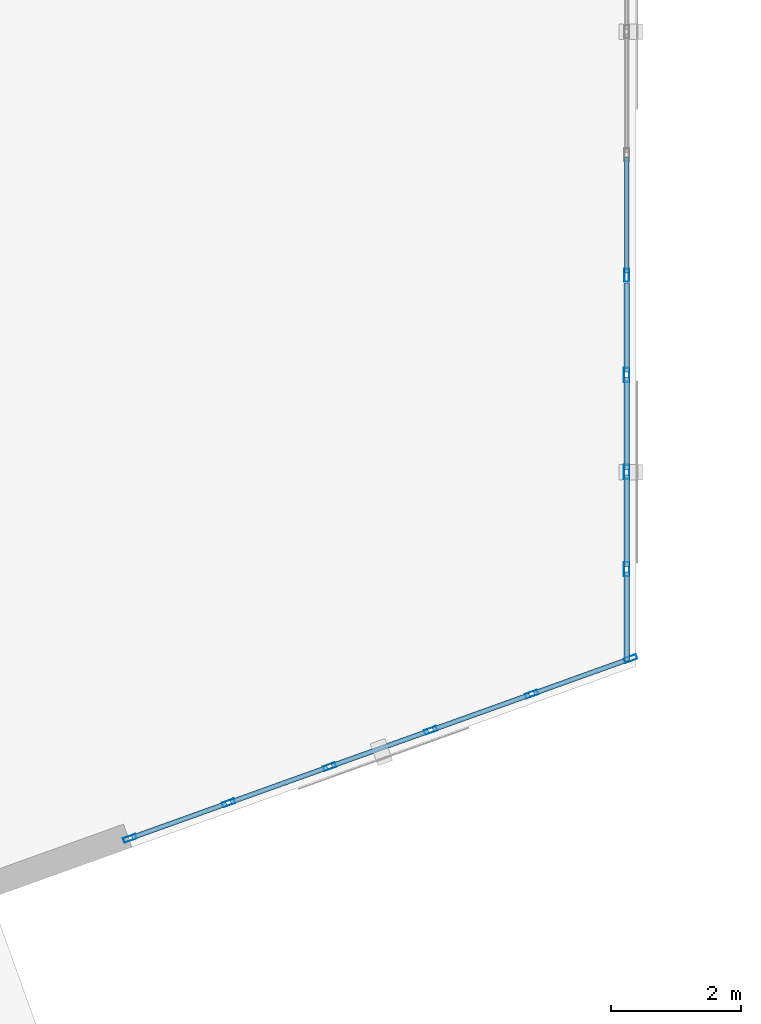
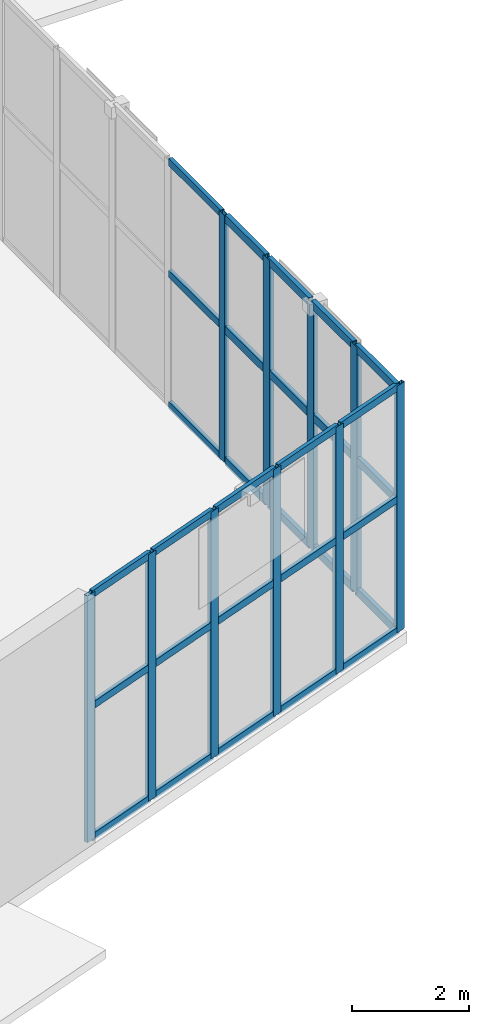
# One storey, part 33 of 139: 40 members, 3 elements without a shape of their own.
"""IFC4 building model written with IfcOpenShell, lengths in metres."""

from ifc_helpers import new_model, si_unit, direction, frame, origin, origin_2d, place, context, subcontext, project, spatial, hollow_rectangle, extrude, material, layer, layer_set, material_profile, profile_set, type_object, element, aggregate, save


model = new_model("IFC4")

# Units and contexts
model_context = context("Model", 3, precision=1e-05, world=origin(), true_north=direction((0.0, 1.0)))
body_context = subcontext(model_context, "Body", "Model", "MODEL_VIEW")
ifc_project = project(units=[si_unit("LENGTHUNIT", "METRE"), si_unit("AREAUNIT", "SQUARE_METRE"), si_unit("VOLUMEUNIT", "CUBIC_METRE"), si_unit("PLANEANGLEUNIT", "RADIAN"), si_unit("MASSUNIT", "GRAM", prefix="KILO")], contexts=[model_context])

# Site, building, storey
site_placement = place(None, origin())
site = spatial("IfcSite", under=ifc_project, at=site_placement, CompositionType="ELEMENT")
building_placement = place(site_placement, origin())
building = spatial("IfcBuilding", under=site, at=building_placement, Name="Xicomal Pleat Aquarium", CompositionType="ELEMENT")
storey_placement = place(building_placement, origin())
storey = spatial("IfcBuildingStorey", under=building, at=storey_placement, Name="L01", CompositionType="ELEMENT", Elevation=0.0)

# Curtain wall, members
ifc_material_1 = material(Name="Bronze anodized aluminium 6063-T6", Category="aluminium")
ifc_layer_1 = layer(ifc_material_1, 0.159912109375)
ifc_layer_set_1 = layer_set([ifc_layer_1], Name="Bronze anodized aluminium 6063-T6")
curtain_wall_type_1 = type_object("IfcCurtainWallType", Name="CW-SYS-06", PredefinedType="NOTDEFINED", material=ifc_layer_set_1)
curtain_wall_1_placement = place(storey_placement, origin())
curtain_wall_1 = element("IfcCurtainWall", 1, at=curtain_wall_1_placement, inside=storey, type_object=curtain_wall_type_1, Name="L01 unitised curtain wall CW-L01-001", PredefinedType="NOTDEFINED")
ifc_material_2 = material(Name="Bronze anodized aluminium 6063-T6", Category="aluminium")
ifc_material_profile_1 = material_profile(ifc_material_2, hollow_rectangle(XDim=0.074951171875, YDim=0.199951171875, WallThickness=0.00439453125, at=origin_2d()), Name="ALU MULL 75x200")
ifc_profile_set_1 = profile_set([ifc_material_profile_1], Name="Bronze anodized aluminium 6063-T6")
member_type_1 = type_object("IfcMemberType", Name="CWM-75x200", PredefinedType="MULLION", material=ifc_profile_set_1)
member_1_placement = place(storey_placement, frame((94.11767578125, 9.3193359375, 0.0), z_axis=(0.0, 0.0, 1.0), x_axis=(0.3378647536, -0.941194670764, 0.0)))
member_1 = element("IfcMember", 2, at=member_1_placement, type_object=member_type_1, Name="CW-06 mullion 1", PredefinedType="MULLION", context=body_context, shape_type="SweptSolid", body=[
    extrude(hollow_rectangle(XDim=0.074951171875, YDim=0.199951171875, WallThickness=0.00439453125, at=origin_2d()), origin(), (0.0, 0.0, 1.0), 5.159912109375),
])
member_2_placement = place(storey_placement, frame((92.593017578125, 8.77197265625, 0.0), z_axis=(0.0, 0.0, 1.0), x_axis=(0.3378647536, -0.941194670764, 0.0)))
member_2 = element("IfcMember", 3, at=member_2_placement, type_object=member_type_1, Name="CW-06 mullion 2", PredefinedType="MULLION", context=body_context, shape_type="SweptSolid", body=[
    extrude(hollow_rectangle(XDim=0.074951171875, YDim=0.199951171875, WallThickness=0.00439453125, at=origin_2d()), origin(), (0.0, 0.0, 1.0), 5.159912109375),
])
member_3_placement = place(storey_placement, frame((91.032958984375, 8.2119140625, 0.0), z_axis=(0.0, 0.0, 1.0), x_axis=(0.3378647536, -0.941194670764, 0.0)))
member_3 = element("IfcMember", 4, at=member_3_placement, type_object=member_type_1, Name="CW-06 mullion 3", PredefinedType="MULLION", context=body_context, shape_type="SweptSolid", body=[
    extrude(hollow_rectangle(XDim=0.074951171875, YDim=0.199951171875, WallThickness=0.00439453125, at=origin_2d()), origin(), (0.0, 0.0, 1.0), 5.159912109375),
])
member_4_placement = place(storey_placement, frame((89.472900390625, 7.652099609375, 0.0), z_axis=(0.0, 0.0, 1.0), x_axis=(0.3378647536, -0.941194670764, 0.0)))
member_4 = element("IfcMember", 5, at=member_4_placement, type_object=member_type_1, Name="CW-06 mullion 4", PredefinedType="MULLION", context=body_context, shape_type="SweptSolid", body=[
    extrude(hollow_rectangle(XDim=0.074951171875, YDim=0.199951171875, WallThickness=0.00439453125, at=origin_2d()), origin(), (0.0, 0.0, 1.0), 5.159912109375),
])
member_5_placement = place(storey_placement, frame((87.9130859375, 7.092041015625, 0.0), z_axis=(0.0, 0.0, 1.0), x_axis=(0.3378647536, -0.941194670764, 0.0)))
member_5 = element("IfcMember", 6, at=member_5_placement, type_object=member_type_1, Name="CW-06 mullion 5", PredefinedType="MULLION", context=body_context, shape_type="SweptSolid", body=[
    extrude(hollow_rectangle(XDim=0.074951171875, YDim=0.199951171875, WallThickness=0.00439453125, at=origin_2d()), origin(), (0.0, 0.0, 1.0), 5.159912109375),
])
member_6_placement = place(storey_placement, frame((86.38818359375, 6.544677734375, 0.0), z_axis=(0.0, 0.0, 1.0), x_axis=(0.3378647536, -0.941194670764, 0.0)))
member_6 = element("IfcMember", 7, at=member_6_placement, type_object=member_type_1, Name="CW-06 mullion 6", PredefinedType="MULLION", context=body_context, shape_type="SweptSolid", body=[
    extrude(hollow_rectangle(XDim=0.074951171875, YDim=0.199951171875, WallThickness=0.00439453125, at=origin_2d()), origin(), (0.0, 0.0, 1.0), 5.159912109375),
])

# Curtain wall, member
curtain_wall_2_placement = place(storey_placement, origin())
curtain_wall_2 = element("IfcCurtainWall", 8, at=curtain_wall_2_placement, inside=storey, type_object=curtain_wall_type_1, Name="L01 unitised curtain wall CW-L01-052", PredefinedType="NOTDEFINED")
member_7_placement = place(storey_placement, frame((94.06005859375, 15.237548828125, 0.0), z_axis=(0.0, 0.0, 1.0), x_axis=(1.0, 0.0, 0.0)))
member_7 = element("IfcMember", 9, at=member_7_placement, type_object=member_type_1, Name="CW-06 mullion 5", PredefinedType="MULLION", context=body_context, shape_type="SweptSolid", body=[
    extrude(hollow_rectangle(XDim=0.074951171875, YDim=0.199951171875, WallThickness=0.00439453125, at=origin_2d()), origin(), (0.0, 0.0, 1.0), 5.159912109375),
])

# Curtain wall, members
ifc_material_3 = material(Name="Bronze anodized aluminium 6063-T6", Category="aluminium")
ifc_layer_2 = layer(ifc_material_3, 0.159912109375)
ifc_layer_set_2 = layer_set([ifc_layer_2], Name="Bronze anodized aluminium 6063-T6")
curtain_wall_type_2 = type_object("IfcCurtainWallType", Name="CW-SYS-11", PredefinedType="NOTDEFINED", material=ifc_layer_set_2)
curtain_wall_3_placement = place(storey_placement, origin())
curtain_wall_3 = element("IfcCurtainWall", 10, at=curtain_wall_3_placement, inside=storey, type_object=curtain_wall_type_2, Name="L01 unitised curtain wall CW-L01-053", PredefinedType="NOTDEFINED")
ifc_material_4 = material(Name="Bronze anodized aluminium 6063-T6", Category="aluminium")
ifc_material_profile_2 = material_profile(ifc_material_4, hollow_rectangle(XDim=0.0849609375, YDim=0.219970703125, WallThickness=0.0048828125, at=origin_2d()), Name="ALU MULL 85x220")
ifc_profile_set_2 = profile_set([ifc_material_profile_2], Name="Bronze anodized aluminium 6063-T6")
member_type_2 = type_object("IfcMemberType", Name="CWM-85x220", PredefinedType="MULLION", material=ifc_profile_set_2)
member_8_placement = place(storey_placement, frame((94.06005859375, 13.699951171875, 0.0), z_axis=(0.0, 0.0, 1.0), x_axis=(1.0, 0.0, 0.0)))
member_8 = element("IfcMember", 11, at=member_8_placement, type_object=member_type_2, Name="CW-11 mullion 2", PredefinedType="MULLION", context=body_context, shape_type="SweptSolid", body=[
    extrude(hollow_rectangle(XDim=0.0849609375, YDim=0.219970703125, WallThickness=0.0048828125, at=origin_2d()), origin(), (0.0, 0.0, 1.0), 5.159912109375),
])
member_9_placement = place(storey_placement, frame((94.06005859375, 12.199951171875, 0.0), z_axis=(0.0, 0.0, 1.0), x_axis=(1.0, 0.0, 0.0)))
member_9 = element("IfcMember", 12, at=member_9_placement, type_object=member_type_2, Name="CW-11 mullion 3", PredefinedType="MULLION", context=body_context, shape_type="SweptSolid", body=[
    extrude(hollow_rectangle(XDim=0.0849609375, YDim=0.219970703125, WallThickness=0.0048828125, at=origin_2d()), origin(), (0.0, 0.0, 1.0), 5.159912109375),
])
member_10_placement = place(storey_placement, frame((94.06005859375, 10.699951171875, 0.0), z_axis=(0.0, 0.0, 1.0), x_axis=(1.0, 0.0, 0.0)))
member_10 = element("IfcMember", 13, at=member_10_placement, type_object=member_type_2, Name="CW-11 mullion 4", PredefinedType="MULLION", context=body_context, shape_type="SweptSolid", body=[
    extrude(hollow_rectangle(XDim=0.0849609375, YDim=0.219970703125, WallThickness=0.0048828125, at=origin_2d()), origin(), (0.0, 0.0, 1.0), 5.159912109375),
])

# Member
ifc_material_5 = material(Name="Bronze anodized aluminium 6063-T6", Category="aluminium")
ifc_material_profile_3 = material_profile(ifc_material_5, hollow_rectangle(XDim=0.074951171875, YDim=0.14990234375, WallThickness=0.00439453125, at=origin_2d()), Name="ALU TRAN 75x150")
ifc_profile_set_3 = profile_set([ifc_material_profile_3], Name="Bronze anodized aluminium 6063-T6")
member_type_3 = type_object("IfcMemberType", Name="CWT-75x150", PredefinedType="USERDEFINED", material=ifc_profile_set_3)
member_11_placement = place(storey_placement, frame((94.08251953125, 9.306640625, 0.03759765625), z_axis=(-0.94119724773, -0.337857574823, 0.0), x_axis=(0.337857574823, -0.94119724773, 0.0)))
member_11 = element("IfcMember", 14, at=member_11_placement, type_object=member_type_3, Name="CW-06 transom 1.1", ObjectType="TRANSOM", PredefinedType="USERDEFINED", context=body_context, shape_type="SweptSolid", body=[
    extrude(hollow_rectangle(XDim=0.074951171875, YDim=0.14990234375, WallThickness=0.00439453125, at=origin_2d()), origin(), (0.0, 0.0, 1.0), 1.544921875),
])

member_12_placement = place(storey_placement, frame((94.08251953125, 9.306640625, 2.785888671875), z_axis=(-0.94119724773, -0.337857574823, 0.0), x_axis=(0.337857574823, -0.94119724773, 0.0)))
member_12 = element("IfcMember", 15, at=member_12_placement, type_object=member_type_3, Name="CW-06 transom 1.2", ObjectType="TRANSOM", PredefinedType="USERDEFINED", context=body_context, shape_type="SweptSolid", body=[
    extrude(hollow_rectangle(XDim=0.074951171875, YDim=0.14990234375, WallThickness=0.00439453125, at=origin_2d()), origin(), (0.0, 0.0, 1.0), 1.544921875),
])

member_13_placement = place(storey_placement, frame((94.08251953125, 9.306640625, 5.12255859375), z_axis=(-0.94119724773, -0.337857574823, 0.0), x_axis=(0.337857574823, -0.94119724773, 0.0)))
member_13 = element("IfcMember", 16, at=member_13_placement, type_object=member_type_3, Name="CW-06 transom 1.3", ObjectType="TRANSOM", PredefinedType="USERDEFINED", context=body_context, shape_type="SweptSolid", body=[
    extrude(hollow_rectangle(XDim=0.074951171875, YDim=0.14990234375, WallThickness=0.00439453125, at=origin_2d()), origin(), (0.0, 0.0, 1.0), 1.544921875),
])

member_14_placement = place(storey_placement, frame((92.5576171875, 8.75927734375, 0.03759765625), z_axis=(-0.941182089503, -0.337899799346, 0.0), x_axis=(0.337899799346, -0.941182089503, 0.0)))
member_14 = element("IfcMember", 17, at=member_14_placement, type_object=member_type_3, Name="CW-06 transom 2.1", ObjectType="TRANSOM", PredefinedType="USERDEFINED", context=body_context, shape_type="SweptSolid", body=[
    extrude(hollow_rectangle(XDim=0.074951171875, YDim=0.14990234375, WallThickness=0.00439453125, at=origin_2d()), origin(), (0.0, 0.0, 1.0), 1.582275390625),
])

member_15_placement = place(storey_placement, frame((92.5576171875, 8.75927734375, 2.785888671875), z_axis=(-0.941182089503, -0.337899799346, 0.0), x_axis=(0.337899799346, -0.941182089503, 0.0)))
member_15 = element("IfcMember", 18, at=member_15_placement, type_object=member_type_3, Name="CW-06 transom 2.2", ObjectType="TRANSOM", PredefinedType="USERDEFINED", context=body_context, shape_type="SweptSolid", body=[
    extrude(hollow_rectangle(XDim=0.074951171875, YDim=0.14990234375, WallThickness=0.00439453125, at=origin_2d()), origin(), (0.0, 0.0, 1.0), 1.582275390625),
])

member_16_placement = place(storey_placement, frame((92.5576171875, 8.75927734375, 5.12255859375), z_axis=(-0.941182089503, -0.337899799346, 0.0), x_axis=(0.337899799346, -0.941182089503, 0.0)))
member_16 = element("IfcMember", 19, at=member_16_placement, type_object=member_type_3, Name="CW-06 transom 2.3", ObjectType="TRANSOM", PredefinedType="USERDEFINED", context=body_context, shape_type="SweptSolid", body=[
    extrude(hollow_rectangle(XDim=0.074951171875, YDim=0.14990234375, WallThickness=0.00439453125, at=origin_2d()), origin(), (0.0, 0.0, 1.0), 1.582275390625),
])

member_17_placement = place(storey_placement, frame((90.997802734375, 8.19921875, 0.03759765625), z_axis=(-0.941248750269, -0.337714065619, 0.0), x_axis=(0.337714065619, -0.941248750269, 0.0)))
member_17 = element("IfcMember", 20, at=member_17_placement, type_object=member_type_3, Name="CW-06 transom 3.1", ObjectType="TRANSOM", PredefinedType="USERDEFINED", context=body_context, shape_type="SweptSolid", body=[
    extrude(hollow_rectangle(XDim=0.074951171875, YDim=0.14990234375, WallThickness=0.00439453125, at=origin_2d()), origin(), (0.0, 0.0, 1.0), 1.58251953125),
])

member_18_placement = place(storey_placement, frame((90.997802734375, 8.19921875, 2.785888671875), z_axis=(-0.941248750269, -0.337714065619, 0.0), x_axis=(0.337714065619, -0.941248750269, 0.0)))
member_18 = element("IfcMember", 21, at=member_18_placement, type_object=member_type_3, Name="CW-06 transom 3.2", ObjectType="TRANSOM", PredefinedType="USERDEFINED", context=body_context, shape_type="SweptSolid", body=[
    extrude(hollow_rectangle(XDim=0.074951171875, YDim=0.14990234375, WallThickness=0.00439453125, at=origin_2d()), origin(), (0.0, 0.0, 1.0), 1.58251953125),
])

member_19_placement = place(storey_placement, frame((90.997802734375, 8.19921875, 5.12255859375), z_axis=(-0.941248750269, -0.337714065619, 0.0), x_axis=(0.337714065619, -0.941248750269, 0.0)))
member_19 = element("IfcMember", 22, at=member_19_placement, type_object=member_type_3, Name="CW-06 transom 3.3", ObjectType="TRANSOM", PredefinedType="USERDEFINED", context=body_context, shape_type="SweptSolid", body=[
    extrude(hollow_rectangle(XDim=0.074951171875, YDim=0.14990234375, WallThickness=0.00439453125, at=origin_2d()), origin(), (0.0, 0.0, 1.0), 1.58251953125),
])

member_20_placement = place(storey_placement, frame((89.437744140625, 7.639404296875, 0.03759765625), z_axis=(-0.941199702169, -0.337850737215, 0.0), x_axis=(0.337850737215, -0.941199702169, 0.0)))
member_20 = element("IfcMember", 23, at=member_20_placement, type_object=member_type_3, Name="CW-06 transom 4.1", ObjectType="TRANSOM", PredefinedType="USERDEFINED", context=body_context, shape_type="SweptSolid", body=[
    extrude(hollow_rectangle(XDim=0.074951171875, YDim=0.14990234375, WallThickness=0.00439453125, at=origin_2d()), origin(), (0.0, 0.0, 1.0), 1.58251953125),
])

member_21_placement = place(storey_placement, frame((89.437744140625, 7.639404296875, 2.785888671875), z_axis=(-0.941199702169, -0.337850737215, 0.0), x_axis=(0.337850737215, -0.941199702169, 0.0)))
member_21 = element("IfcMember", 24, at=member_21_placement, type_object=member_type_3, Name="CW-06 transom 4.2", ObjectType="TRANSOM", PredefinedType="USERDEFINED", context=body_context, shape_type="SweptSolid", body=[
    extrude(hollow_rectangle(XDim=0.074951171875, YDim=0.14990234375, WallThickness=0.00439453125, at=origin_2d()), origin(), (0.0, 0.0, 1.0), 1.58251953125),
])

member_22_placement = place(storey_placement, frame((89.437744140625, 7.639404296875, 5.12255859375), z_axis=(-0.941199702169, -0.337850737215, 0.0), x_axis=(0.337850737215, -0.941199702169, 0.0)))
member_22 = element("IfcMember", 25, at=member_22_placement, type_object=member_type_3, Name="CW-06 transom 4.3", ObjectType="TRANSOM", PredefinedType="USERDEFINED", context=body_context, shape_type="SweptSolid", body=[
    extrude(hollow_rectangle(XDim=0.074951171875, YDim=0.14990234375, WallThickness=0.00439453125, at=origin_2d()), origin(), (0.0, 0.0, 1.0), 1.58251953125),
])

member_23_placement = place(storey_placement, frame((87.877685546875, 7.079345703125, 0.03759765625), z_axis=(-0.94119724773, -0.337857574823, 0.0), x_axis=(0.337857574823, -0.94119724773, 0.0)))
member_23 = element("IfcMember", 26, at=member_23_placement, type_object=member_type_3, Name="CW-06 transom 5.1", ObjectType="TRANSOM", PredefinedType="USERDEFINED", context=body_context, shape_type="SweptSolid", body=[
    extrude(hollow_rectangle(XDim=0.074951171875, YDim=0.14990234375, WallThickness=0.00439453125, at=origin_2d()), origin(), (0.0, 0.0, 1.0), 1.544921875),
])

member_24_placement = place(storey_placement, frame((87.877685546875, 7.079345703125, 2.785888671875), z_axis=(-0.94119724773, -0.337857574823, 0.0), x_axis=(0.337857574823, -0.94119724773, 0.0)))
member_24 = element("IfcMember", 27, at=member_24_placement, type_object=member_type_3, Name="CW-06 transom 5.2", ObjectType="TRANSOM", PredefinedType="USERDEFINED", context=body_context, shape_type="SweptSolid", body=[
    extrude(hollow_rectangle(XDim=0.074951171875, YDim=0.14990234375, WallThickness=0.00439453125, at=origin_2d()), origin(), (0.0, 0.0, 1.0), 1.544921875),
])

member_25_placement = place(storey_placement, frame((87.877685546875, 7.079345703125, 5.12255859375), z_axis=(-0.94119724773, -0.337857574823, 0.0), x_axis=(0.337857574823, -0.94119724773, 0.0)))
member_25 = element("IfcMember", 28, at=member_25_placement, type_object=member_type_3, Name="CW-06 transom 5.3", ObjectType="TRANSOM", PredefinedType="USERDEFINED", context=body_context, shape_type="SweptSolid", body=[
    extrude(hollow_rectangle(XDim=0.074951171875, YDim=0.14990234375, WallThickness=0.00439453125, at=origin_2d()), origin(), (0.0, 0.0, 1.0), 1.544921875),
])

aggregate(curtain_wall_1, [member_1, member_2, member_3, member_4, member_5, member_6, member_11, member_12, member_13, member_14, member_15, member_16, member_17, member_18, member_19, member_20, member_21, member_22, member_23, member_24, member_25])

member_26_placement = place(storey_placement, frame((94.06005859375, 17.0625, 0.03759765625), z_axis=(0.0, -1.0, 0.0), x_axis=(1.0, 0.0, 0.0)))
member_26 = element("IfcMember", 29, at=member_26_placement, type_object=member_type_3, Name="CW-06 transom 4.1", ObjectType="TRANSOM", PredefinedType="USERDEFINED", context=body_context, shape_type="SweptSolid", body=[
    extrude(hollow_rectangle(XDim=0.074951171875, YDim=0.14990234375, WallThickness=0.00439453125, at=origin_2d()), origin(), (0.0, 0.0, 1.0), 1.78759765625),
])

member_27_placement = place(storey_placement, frame((94.06005859375, 17.0625, 2.785888671875), z_axis=(0.0, -1.0, 0.0), x_axis=(1.0, 0.0, 0.0)))
member_27 = element("IfcMember", 30, at=member_27_placement, type_object=member_type_3, Name="CW-06 transom 4.2", ObjectType="TRANSOM", PredefinedType="USERDEFINED", context=body_context, shape_type="SweptSolid", body=[
    extrude(hollow_rectangle(XDim=0.074951171875, YDim=0.14990234375, WallThickness=0.00439453125, at=origin_2d()), origin(), (0.0, 0.0, 1.0), 1.78759765625),
])

member_28_placement = place(storey_placement, frame((94.06005859375, 17.0625, 5.12255859375), z_axis=(0.0, -1.0, 0.0), x_axis=(1.0, 0.0, 0.0)))
member_28 = element("IfcMember", 31, at=member_28_placement, type_object=member_type_3, Name="CW-06 transom 4.3", ObjectType="TRANSOM", PredefinedType="USERDEFINED", context=body_context, shape_type="SweptSolid", body=[
    extrude(hollow_rectangle(XDim=0.074951171875, YDim=0.14990234375, WallThickness=0.00439453125, at=origin_2d()), origin(), (0.0, 0.0, 1.0), 1.78759765625),
])

aggregate(curtain_wall_2, [member_7, member_26, member_27, member_28])

ifc_material_6 = material(Name="Bronze anodized aluminium 6063-T6", Category="aluminium")
ifc_material_profile_4 = material_profile(ifc_material_6, hollow_rectangle(XDim=0.0849609375, YDim=0.169921875, WallThickness=0.0048828125, at=origin_2d()), Name="ALU TRAN 85x170")
ifc_profile_set_4 = profile_set([ifc_material_profile_4], Name="Bronze anodized aluminium 6063-T6")
member_type_4 = type_object("IfcMemberType", Name="CWT-85x170", PredefinedType="USERDEFINED", material=ifc_profile_set_4)
member_29_placement = place(storey_placement, frame((94.06005859375, 15.114990234375, 0.04248046875), z_axis=(0.0, -1.0, 0.0), x_axis=(1.0, 0.0, 0.0)))
member_29 = element("IfcMember", 32, at=member_29_placement, type_object=member_type_4, Name="CW-11 transom 1.1", ObjectType="TRANSOM", PredefinedType="USERDEFINED", context=body_context, shape_type="SweptSolid", body=[
    extrude(hollow_rectangle(XDim=0.0849609375, YDim=0.169921875, WallThickness=0.0048828125, at=origin_2d()), origin(), (0.0, 0.0, 1.0), 1.37255859375),
])

member_30_placement = place(storey_placement, frame((94.06005859375, 15.114990234375, 2.785888671875), z_axis=(0.0, -1.0, 0.0), x_axis=(1.0, 0.0, 0.0)))
member_30 = element("IfcMember", 33, at=member_30_placement, type_object=member_type_4, Name="CW-11 transom 1.2", ObjectType="TRANSOM", PredefinedType="USERDEFINED", context=body_context, shape_type="SweptSolid", body=[
    extrude(hollow_rectangle(XDim=0.0849609375, YDim=0.169921875, WallThickness=0.0048828125, at=origin_2d()), origin(), (0.0, 0.0, 1.0), 1.37255859375),
])

member_31_placement = place(storey_placement, frame((94.06005859375, 15.114990234375, 5.117431640625), z_axis=(0.0, -1.0, 0.0), x_axis=(1.0, 0.0, 0.0)))
member_31 = element("IfcMember", 34, at=member_31_placement, type_object=member_type_4, Name="CW-11 transom 1.3", ObjectType="TRANSOM", PredefinedType="USERDEFINED", context=body_context, shape_type="SweptSolid", body=[
    extrude(hollow_rectangle(XDim=0.0849609375, YDim=0.169921875, WallThickness=0.0048828125, at=origin_2d()), origin(), (0.0, 0.0, 1.0), 1.37255859375),
])

member_32_placement = place(storey_placement, frame((94.06005859375, 13.657470703125, 0.04248046875), z_axis=(0.0, -1.0, 0.0), x_axis=(1.0, 0.0, 0.0)))
member_32 = element("IfcMember", 35, at=member_32_placement, type_object=member_type_4, Name="CW-11 transom 2.1", ObjectType="TRANSOM", PredefinedType="USERDEFINED", context=body_context, shape_type="SweptSolid", body=[
    extrude(hollow_rectangle(XDim=0.0849609375, YDim=0.169921875, WallThickness=0.0048828125, at=origin_2d()), origin(), (0.0, 0.0, 1.0), 1.4150390625),
])

member_33_placement = place(storey_placement, frame((94.06005859375, 13.657470703125, 2.785888671875), z_axis=(0.0, -1.0, 0.0), x_axis=(1.0, 0.0, 0.0)))
member_33 = element("IfcMember", 36, at=member_33_placement, type_object=member_type_4, Name="CW-11 transom 2.2", ObjectType="TRANSOM", PredefinedType="USERDEFINED", context=body_context, shape_type="SweptSolid", body=[
    extrude(hollow_rectangle(XDim=0.0849609375, YDim=0.169921875, WallThickness=0.0048828125, at=origin_2d()), origin(), (0.0, 0.0, 1.0), 1.4150390625),
])

member_34_placement = place(storey_placement, frame((94.06005859375, 13.657470703125, 5.117431640625), z_axis=(0.0, -1.0, 0.0), x_axis=(1.0, 0.0, 0.0)))
member_34 = element("IfcMember", 37, at=member_34_placement, type_object=member_type_4, Name="CW-11 transom 2.3", ObjectType="TRANSOM", PredefinedType="USERDEFINED", context=body_context, shape_type="SweptSolid", body=[
    extrude(hollow_rectangle(XDim=0.0849609375, YDim=0.169921875, WallThickness=0.0048828125, at=origin_2d()), origin(), (0.0, 0.0, 1.0), 1.4150390625),
])

member_35_placement = place(storey_placement, frame((94.06005859375, 12.157470703125, 0.04248046875), z_axis=(0.0, -1.0, 0.0), x_axis=(1.0, 0.0, 0.0)))
member_35 = element("IfcMember", 38, at=member_35_placement, type_object=member_type_4, Name="CW-11 transom 3.1", ObjectType="TRANSOM", PredefinedType="USERDEFINED", context=body_context, shape_type="SweptSolid", body=[
    extrude(hollow_rectangle(XDim=0.0849609375, YDim=0.169921875, WallThickness=0.0048828125, at=origin_2d()), origin(), (0.0, 0.0, 1.0), 1.4150390625),
])

member_36_placement = place(storey_placement, frame((94.06005859375, 12.157470703125, 2.785888671875), z_axis=(0.0, -1.0, 0.0), x_axis=(1.0, 0.0, 0.0)))
member_36 = element("IfcMember", 39, at=member_36_placement, type_object=member_type_4, Name="CW-11 transom 3.2", ObjectType="TRANSOM", PredefinedType="USERDEFINED", context=body_context, shape_type="SweptSolid", body=[
    extrude(hollow_rectangle(XDim=0.0849609375, YDim=0.169921875, WallThickness=0.0048828125, at=origin_2d()), origin(), (0.0, 0.0, 1.0), 1.4150390625),
])

member_37_placement = place(storey_placement, frame((94.06005859375, 12.157470703125, 5.117431640625), z_axis=(0.0, -1.0, 0.0), x_axis=(1.0, 0.0, 0.0)))
member_37 = element("IfcMember", 40, at=member_37_placement, type_object=member_type_4, Name="CW-11 transom 3.3", ObjectType="TRANSOM", PredefinedType="USERDEFINED", context=body_context, shape_type="SweptSolid", body=[
    extrude(hollow_rectangle(XDim=0.0849609375, YDim=0.169921875, WallThickness=0.0048828125, at=origin_2d()), origin(), (0.0, 0.0, 1.0), 1.4150390625),
])

member_38_placement = place(storey_placement, frame((94.06005859375, 10.657470703125, 0.04248046875), z_axis=(0.0, -1.0, 0.0), x_axis=(1.0, 0.0, 0.0)))
member_38 = element("IfcMember", 41, at=member_38_placement, type_object=member_type_4, Name="CW-11 transom 4.1", ObjectType="TRANSOM", PredefinedType="USERDEFINED", context=body_context, shape_type="SweptSolid", body=[
    extrude(hollow_rectangle(XDim=0.0849609375, YDim=0.169921875, WallThickness=0.0048828125, at=origin_2d()), origin(), (0.0, 0.0, 1.0), 1.37255859375),
])

member_39_placement = place(storey_placement, frame((94.06005859375, 10.657470703125, 2.785888671875), z_axis=(0.0, -1.0, 0.0), x_axis=(1.0, 0.0, 0.0)))
member_39 = element("IfcMember", 42, at=member_39_placement, type_object=member_type_4, Name="CW-11 transom 4.2", ObjectType="TRANSOM", PredefinedType="USERDEFINED", context=body_context, shape_type="SweptSolid", body=[
    extrude(hollow_rectangle(XDim=0.0849609375, YDim=0.169921875, WallThickness=0.0048828125, at=origin_2d()), origin(), (0.0, 0.0, 1.0), 1.37255859375),
])

member_40_placement = place(storey_placement, frame((94.06005859375, 10.657470703125, 5.117431640625), z_axis=(0.0, -1.0, 0.0), x_axis=(1.0, 0.0, 0.0)))
member_40 = element("IfcMember", 43, at=member_40_placement, type_object=member_type_4, Name="CW-11 transom 4.3", ObjectType="TRANSOM", PredefinedType="USERDEFINED", context=body_context, shape_type="SweptSolid", body=[
    extrude(hollow_rectangle(XDim=0.0849609375, YDim=0.169921875, WallThickness=0.0048828125, at=origin_2d()), origin(), (0.0, 0.0, 1.0), 1.37255859375),
])

aggregate(curtain_wall_3, [member_8, member_9, member_10, member_29, member_30, member_31, member_32, member_33, member_34, member_35, member_36, member_37, member_38, member_39, member_40])

save(model, "model.ifc")
